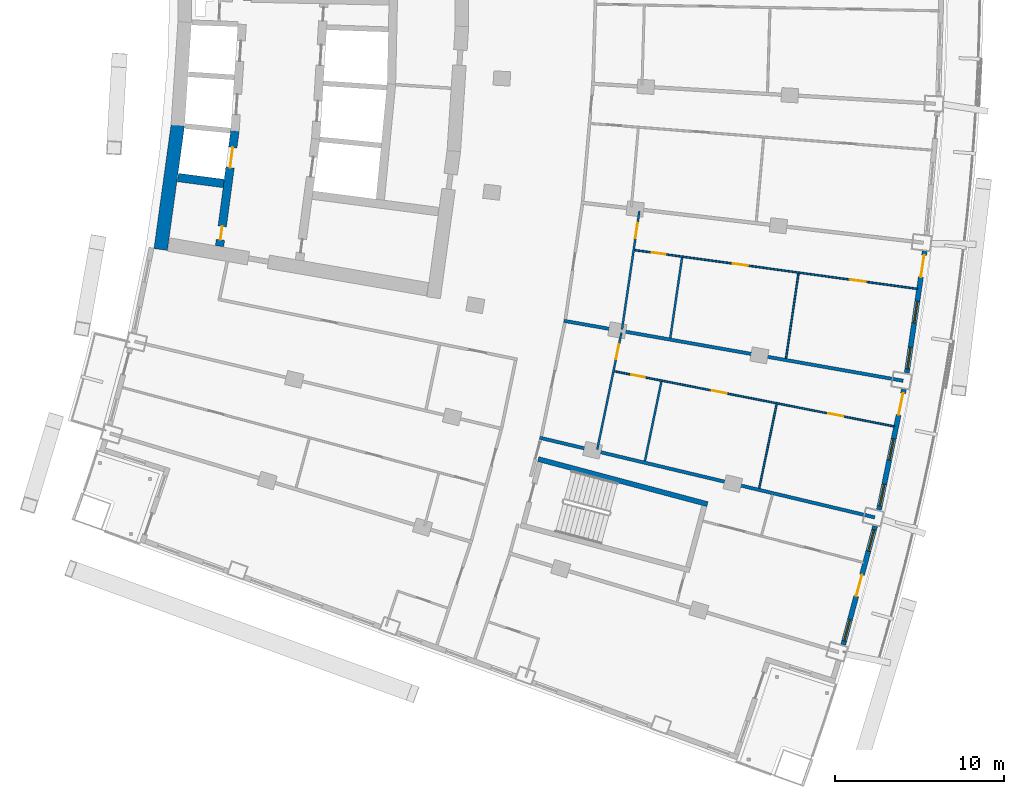
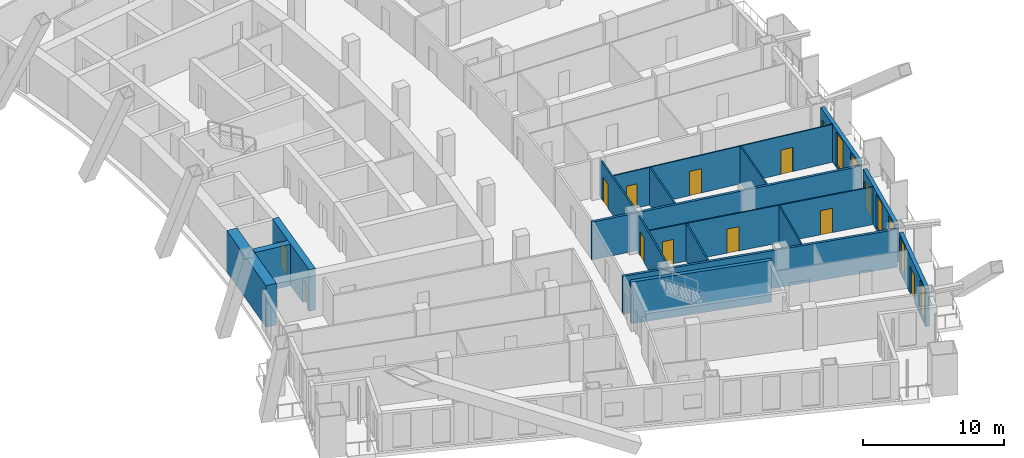
# One storey, part 15 of 25: 17 walls, 13 doors, 6 windows, 19 openings.
"""IFC4 building model written with IfcOpenShell, lengths in metres."""

from ifc_helpers import new_model, si_unit, direction, frame, frame_2d, origin, place, context, subcontext, project, spatial, rectangle, extrude, material, layer, layer_set, type_object, element, fill, save


model = new_model("IFC4")

# Units and contexts
model_context = context("Model", 3, precision=1e-05, world=origin(), true_north=direction((0.0, 1.0)))
body_context = subcontext(model_context, "Body", "Model", "MODEL_VIEW")
ifc_project = project(units=[si_unit("LENGTHUNIT", "METRE"), si_unit("AREAUNIT", "SQUARE_METRE"), si_unit("VOLUMEUNIT", "CUBIC_METRE"), si_unit("PLANEANGLEUNIT", "RADIAN"), si_unit("MASSUNIT", "GRAM", prefix="KILO")], contexts=[model_context])

# Site, building, storey
site_placement = place(None, origin())
site = spatial("IfcSite", under=ifc_project, at=site_placement, CompositionType="ELEMENT")
building_placement = place(site_placement, origin())
building = spatial("IfcBuilding", under=site, at=building_placement, Name="Alderwake Tower", CompositionType="ELEMENT")
storey_placement = place(building_placement, frame((0.0, 0.0, 93.199951171875)))
storey = spatial("IfcBuildingStorey", under=building, at=storey_placement, Name="L22", CompositionType="ELEMENT", Elevation=93.199951171875)

# Wall
ifc_material_1 = material(Name="Concrete C70/85", Category="concrete")
ifc_layer_1 = layer(ifc_material_1, 0.800048828125)
ifc_layer_set_1 = layer_set([ifc_layer_1], Name="Core wall outer 800 C70-85")
wall_type_1 = type_object("IfcWallType", Name="Core wall outer 800 C70-85", PredefinedType="SHEAR", material=ifc_layer_set_1)
wall_1_placement = place(storey_placement, frame((15.419921875, 44.12890625, 0.0), z_axis=(0.0, 0.0, 1.0), x_axis=(0.13634256868, 0.990661750531, 0.0)))
element("IfcWall", 1, at=wall_1_placement, inside=storey, type_object=wall_type_1, Name="Core wall CW.042", PredefinedType="SHEAR", context=body_context, shape_type="SweptSolid", body=[
    extrude(rectangle(XDim=7.42578125, YDim=0.800048828125, at=frame_2d((3.712890625, 0.0))), origin(), (0.0, 0.0, 1.0), 3.60009765625),
])

# Wall, openings, doors
ifc_material_2 = material(Name="Concrete C70/85", Category="concrete")
ifc_layer_2 = layer(ifc_material_2, 0.5)
ifc_layer_set_2 = layer_set([ifc_layer_2], Name="Core wall spine 500 C70-85")
wall_type_2 = type_object("IfcWallType", Name="Core wall spine 500 C70-85", PredefinedType="SHEAR", material=ifc_layer_set_2)
wall_2_placement = place(storey_placement, frame((19.81494140625, 51.145263671875, 0.0), z_axis=(0.0, 0.0, 1.0), x_axis=(-0.132349652161, -0.991203091991, 0.0)))
wall_2 = element("IfcWall", 2, at=wall_2_placement, inside=storey, type_object=wall_type_2, Name="Core wall CW.033", PredefinedType="SHEAR", context=body_context, shape_type="SweptSolid", body=[
    extrude(rectangle(XDim=6.880615234375, YDim=0.5, at=frame_2d((3.4404296875, 0.0))), origin(), (0.0, 0.0, 1.0), 3.60009765625),
])
opening_1_placement = place(wall_2_placement, frame((0.99072265625, 0.0, 0.0)))
opening_1 = element("IfcOpeningElement", 3, at=opening_1_placement, cuts=wall_2, Name="Opening LD-LP1", PredefinedType="OPENING", context=body_context, shape_type="SweptSolid", body=[
    extrude(rectangle(XDim=1.199951171875, YDim=2.300048828125, at=frame_2d((0.60009765625, 1.14990234375))), frame((0.0, 0.260009765625, 0.0), z_axis=(0.0, -1.0, 0.0), x_axis=(1.0, 0.0, 0.0)), (0.0, 0.0, 1.0), 0.52001953125),
])
opening_2_placement = place(wall_2_placement, frame((5.698486328125, 0.0, 0.0)))
opening_2 = element("IfcOpeningElement", 4, at=opening_2_placement, cuts=wall_2, Name="Opening C007", PredefinedType="OPENING", context=body_context, shape_type="SweptSolid", body=[
    extrude(rectangle(XDim=0.800048828125, YDim=2.0, at=frame_2d((0.39990234375, 1.0))), frame((0.0, 0.260009765625, 0.0), z_axis=(0.0, -1.0, 0.0), x_axis=(1.0, 0.0, 0.0)), (0.0, 0.0, 1.0), 0.52001953125),
])
ifc_material_3 = material(Name="Stainless steel sliding leaf", Category="steel")
door_type_1 = type_object("IfcDoorType", Name="Lift landing door 1200", OperationType="SLIDING_TO_LEFT", PredefinedType="DOOR", material=ifc_material_3)
door_1_placement = place(opening_1_placement, origin())
door_1 = element("IfcDoor", 5, at=door_1_placement, inside=storey, type_object=door_type_1, Name="Lift landing door LP1", OperationType="SLIDING_TO_LEFT", OverallHeight=2.300048828125, OverallWidth=1.199951171875, PredefinedType="DOOR", context=body_context, shape_type="SweptSolid", body=[
    extrude(rectangle(XDim=1.199951171875, YDim=2.300048828125, at=frame_2d((0.60009765625, 1.14990234375))), frame((0.0, 0.02490234375, 0.0), z_axis=(0.0, -1.0, 0.0), x_axis=(1.0, 0.0, 0.0)), (0.0, 0.0, 1.0), 0.050048828125),
])
fill(opening_1, door_1)
ifc_material_4 = material(Name="Painted steel leaf, rated", Category="steel")
door_type_2 = type_object("IfcDoorType", Name="Riser access door 800", OperationType="SINGLE_SWING_LEFT", PredefinedType="DOOR", material=ifc_material_4)
door_2_placement = place(opening_2_placement, origin())
door_2 = element("IfcDoor", 6, at=door_2_placement, inside=storey, type_object=door_type_2, Name="Riser access door", OperationType="SINGLE_SWING_LEFT", OverallHeight=2.0, OverallWidth=0.800048828125, PredefinedType="DOOR", context=body_context, shape_type="SweptSolid", body=[
    extrude(rectangle(XDim=0.800048828125, YDim=2.0, at=frame_2d((0.39990234375, 1.0))), frame((0.0, 0.02490234375, 0.0), z_axis=(0.0, -1.0, 0.0), x_axis=(1.0, 0.0, 0.0)), (0.0, 0.0, 1.0), 0.050048828125),
])
fill(opening_2, door_2)

# Walls
wall_3_placement = place(storey_placement, frame((16.43994140625, 48.38623046875, 0.0), z_axis=(0.0, 0.0, 1.0), x_axis=(0.991557472006, -0.129667959452, 0.0)))
element("IfcWall", 7, at=wall_3_placement, inside=storey, type_object=wall_type_2, Name="Core wall CW.067", PredefinedType="SHEAR", context=body_context, shape_type="SweptSolid", body=[
    extrude(rectangle(XDim=2.72998046875, YDim=0.5, at=frame_2d((1.364990234375, 0.0))), origin(), (0.0, 0.0, 1.0), 3.60009765625),
])
ifc_material_5 = material(Name="Concrete C70/85", Category="concrete")
ifc_layer_3 = layer(ifc_material_5, 0.300048828125)
ifc_layer_set_3 = layer_set([ifc_layer_3], Name="Core wall stair enclosure 300 C70-85")
wall_type_3 = type_object("IfcWallType", Name="Core wall stair enclosure 300 C70-85", PredefinedType="SHEAR", material=ifc_layer_set_3)
wall_4_placement = place(storey_placement, frame((37.75390625, 31.731201171875, 0.0), z_axis=(0.0, 0.0, 1.0), x_axis=(0.966309214305, -0.257383958996, 0.0)))
element("IfcWall", 8, at=wall_4_placement, inside=storey, type_object=wall_type_3, Name="Core wall CW.086", PredefinedType="SHEAR", context=body_context, shape_type="SweptSolid", body=[
    extrude(rectangle(XDim=10.360107421875, YDim=0.300048828125, at=frame_2d((5.18017578125, 0.0))), origin(), (0.0, 0.0, 1.0), 3.60009765625),
])

# Wall, openings, door, windows
ifc_material_6 = material(Name="Precast concrete C50/60 spandrel panel", Category="concrete")
ifc_layer_4 = layer(ifc_material_6, 0.300048828125)
ifc_layer_set_4 = layer_set([ifc_layer_4], Name="External wall EW1 Precast concrete C50/60 spandrel")
wall_type_4 = type_object("IfcWallType", Name="External wall EW1 Precast concrete C50/60 spandrel", PredefinedType="SOLIDWALL", material=ifc_layer_set_4)
wall_5_placement = place(storey_placement, frame((55.797119140625, 20.75048828125, 0.0), z_axis=(0.0, 0.0, 1.0), x_axis=(0.259469611771, 0.96575127262, 0.0)))
wall_5 = element("IfcWall", 9, at=wall_5_placement, inside=storey, type_object=wall_type_4, Name="External wall 12", PredefinedType="SOLIDWALL", context=body_context, shape_type="SweptSolid", body=[
    extrude(rectangle(XDim=7.263916015625, YDim=0.300048828125, at=frame_2d((3.6318359375, 0.0))), origin(), (0.0, 0.0, 1.0), 3.280029296875),
])
opening_3_placement = place(wall_5_placement, frame((0.23291015625, 0.0, 0.199951171875)))
opening_3 = element("IfcOpeningElement", 10, at=opening_3_placement, cuts=wall_5, Name="Opening W1", PredefinedType="OPENING", context=body_context, shape_type="SweptSolid", body=[
    extrude(rectangle(XDim=1.300048828125, YDim=2.89990234375, at=frame_2d((0.64990234375, 1.449951171875))), frame((0.0, 0.159912109375, 0.0), z_axis=(0.0, -1.0, 0.0), x_axis=(1.0, 0.0, 0.0)), (0.0, 0.0, 1.0), 0.320068359375),
])
opening_4_placement = place(wall_5_placement, frame((2.98193359375, 0.0, 0.0)))
opening_4 = element("IfcOpeningElement", 11, at=opening_4_placement, cuts=wall_5, Name="Opening D03", PredefinedType="OPENING", context=body_context, shape_type="SweptSolid", body=[
    extrude(rectangle(XDim=1.300048828125, YDim=2.39990234375, at=frame_2d((0.64990234375, 1.199951171875))), frame((0.0, 0.159912109375, 0.0), z_axis=(0.0, -1.0, 0.0), x_axis=(1.0, 0.0, 0.0)), (0.0, 0.0, 1.0), 0.320068359375),
])
opening_5_placement = place(wall_5_placement, frame((5.73095703125, 0.0, 0.199951171875)))
opening_5 = element("IfcOpeningElement", 12, at=opening_5_placement, cuts=wall_5, Name="Opening W1", PredefinedType="OPENING", context=body_context, shape_type="SweptSolid", body=[
    extrude(rectangle(XDim=1.300048828125, YDim=2.89990234375, at=frame_2d((0.64990234375, 1.449951171875))), frame((0.0, 0.159912109375, 0.0), z_axis=(0.0, -1.0, 0.0), x_axis=(1.0, 0.0, 0.0)), (0.0, 0.0, 1.0), 0.320068359375),
])
ifc_material_7 = material(Name="Bronze tinted glass in aluminium frame", Category="aluminium")
door_type_3 = type_object("IfcDoorType", Name="Balcony door BD sliding", OperationType="SLIDING_TO_LEFT", PredefinedType="DOOR", material=ifc_material_7)
door_3_placement = place(opening_4_placement, origin())
door_3 = element("IfcDoor", 13, at=door_3_placement, inside=storey, type_object=door_type_3, Name="Door D03", OperationType="SLIDING_TO_LEFT", OverallHeight=2.39990234375, OverallWidth=1.300048828125, PredefinedType="DOOR", context=body_context, shape_type="SweptSolid", body=[
    extrude(rectangle(XDim=1.300048828125, YDim=2.39990234375, at=frame_2d((0.64990234375, 1.199951171875))), frame((0.0, 0.02490234375, 0.0), z_axis=(0.0, -1.0, 0.0), x_axis=(1.0, 0.0, 0.0)), (0.0, 0.0, 1.0), 0.050048828125),
])
fill(opening_4, door_3)
ifc_material_8 = material(Name="Bronze tinted glass in aluminium frame", Category="aluminium")
window_type = type_object("IfcWindowType", Name="Window W1 tall fixed and vent", PartitioningType="DOUBLE_PANEL_VERTICAL", PredefinedType="WINDOW", material=ifc_material_8)
window_1_placement = place(opening_3_placement, origin())
window_1 = element("IfcWindow", 14, at=window_1_placement, inside=storey, type_object=window_type, Name="Window W1 tall fixed and vent", OverallHeight=2.89990234375, OverallWidth=1.300048828125, PartitioningType="DOUBLE_PANEL_VERTICAL", PredefinedType="WINDOW", context=body_context, shape_type="SweptSolid", body=[
    extrude(rectangle(XDim=1.300048828125, YDim=2.89990234375, at=frame_2d((0.64990234375, 1.449951171875))), frame((0.0, 0.030029296875, 0.0), z_axis=(0.0, -1.0, 0.0), x_axis=(1.0, 0.0, 0.0)), (0.0, 0.0, 1.0), 0.06005859375),
])
fill(opening_3, window_1)
window_2_placement = place(opening_5_placement, origin())
window_2 = element("IfcWindow", 15, at=window_2_placement, inside=storey, type_object=window_type, Name="Window W1 tall fixed and vent", OverallHeight=2.89990234375, OverallWidth=1.300048828125, PartitioningType="DOUBLE_PANEL_VERTICAL", PredefinedType="WINDOW", context=body_context, shape_type="SweptSolid", body=[
    extrude(rectangle(XDim=1.300048828125, YDim=2.89990234375, at=frame_2d((0.64990234375, 1.449951171875))), frame((0.0, 0.030029296875, 0.0), z_axis=(0.0, -1.0, 0.0), x_axis=(1.0, 0.0, 0.0)), (0.0, 0.0, 1.0), 0.06005859375),
])
fill(opening_5, window_2)

wall_6_placement = place(storey_placement, frame((57.91259765625, 28.73583984375, 0.0), z_axis=(0.0, 0.0, 1.0), x_axis=(0.20273007486, 0.979234658673, 0.0)))
wall_6 = element("IfcWall", 16, at=wall_6_placement, inside=storey, type_object=wall_type_4, Name="External wall 13", PredefinedType="SOLIDWALL", context=body_context, shape_type="SweptSolid", body=[
    extrude(rectangle(XDim=7.26416015625, YDim=0.300048828125, at=frame_2d((3.632080078125, 0.0))), origin(), (0.0, 0.0, 1.0), 3.280029296875),
])
opening_6_placement = place(wall_6_placement, frame((0.23291015625, 0.0, 0.199951171875)))
opening_6 = element("IfcOpeningElement", 17, at=opening_6_placement, cuts=wall_6, Name="Opening W1", PredefinedType="OPENING", context=body_context, shape_type="SweptSolid", body=[
    extrude(rectangle(XDim=1.300048828125, YDim=2.89990234375, at=frame_2d((0.64990234375, 1.449951171875))), frame((0.0, 0.159912109375, 0.0), z_axis=(0.0, -1.0, 0.0), x_axis=(1.0, 0.0, 0.0)), (0.0, 0.0, 1.0), 0.320068359375),
])
opening_7_placement = place(wall_6_placement, frame((2.98193359375, 0.0, 0.199951171875)))
opening_7 = element("IfcOpeningElement", 18, at=opening_7_placement, cuts=wall_6, Name="Opening W1", PredefinedType="OPENING", context=body_context, shape_type="SweptSolid", body=[
    extrude(rectangle(XDim=1.300048828125, YDim=2.89990234375, at=frame_2d((0.64990234375, 1.449951171875))), frame((0.0, 0.159912109375, 0.0), z_axis=(0.0, -1.0, 0.0), x_axis=(1.0, 0.0, 0.0)), (0.0, 0.0, 1.0), 0.320068359375),
])
opening_8_placement = place(wall_6_placement, frame((5.731201171875, 0.0, 0.0)))
opening_8 = element("IfcOpeningElement", 19, at=opening_8_placement, cuts=wall_6, Name="Opening D04", PredefinedType="OPENING", context=body_context, shape_type="SweptSolid", body=[
    extrude(rectangle(XDim=1.300048828125, YDim=2.39990234375, at=frame_2d((0.64990234375, 1.199951171875))), frame((0.0, 0.159912109375, 0.0), z_axis=(0.0, -1.0, 0.0), x_axis=(1.0, 0.0, 0.0)), (0.0, 0.0, 1.0), 0.320068359375),
])
door_4_placement = place(opening_8_placement, origin())
door_4 = element("IfcDoor", 20, at=door_4_placement, inside=storey, type_object=door_type_3, Name="Door D04", OperationType="SLIDING_TO_LEFT", OverallHeight=2.39990234375, OverallWidth=1.300048828125, PredefinedType="DOOR", context=body_context, shape_type="SweptSolid", body=[
    extrude(rectangle(XDim=1.300048828125, YDim=2.39990234375, at=frame_2d((0.64990234375, 1.199951171875))), frame((0.0, 0.02490234375, 0.0), z_axis=(0.0, -1.0, 0.0), x_axis=(1.0, 0.0, 0.0)), (0.0, 0.0, 1.0), 0.050048828125),
])
fill(opening_8, door_4)
window_3_placement = place(opening_6_placement, origin())
window_3 = element("IfcWindow", 21, at=window_3_placement, inside=storey, type_object=window_type, Name="Window W1 tall fixed and vent", OverallHeight=2.89990234375, OverallWidth=1.300048828125, PartitioningType="DOUBLE_PANEL_VERTICAL", PredefinedType="WINDOW", context=body_context, shape_type="SweptSolid", body=[
    extrude(rectangle(XDim=1.300048828125, YDim=2.89990234375, at=frame_2d((0.64990234375, 1.449951171875))), frame((0.0, 0.030029296875, 0.0), z_axis=(0.0, -1.0, 0.0), x_axis=(1.0, 0.0, 0.0)), (0.0, 0.0, 1.0), 0.06005859375),
])
fill(opening_6, window_3)
window_4_placement = place(opening_7_placement, origin())
window_4 = element("IfcWindow", 22, at=window_4_placement, inside=storey, type_object=window_type, Name="Window W1 tall fixed and vent", OverallHeight=2.89990234375, OverallWidth=1.300048828125, PartitioningType="DOUBLE_PANEL_VERTICAL", PredefinedType="WINDOW", context=body_context, shape_type="SweptSolid", body=[
    extrude(rectangle(XDim=1.300048828125, YDim=2.89990234375, at=frame_2d((0.64990234375, 1.449951171875))), frame((0.0, 0.030029296875, 0.0), z_axis=(0.0, -1.0, 0.0), x_axis=(1.0, 0.0, 0.0)), (0.0, 0.0, 1.0), 0.06005859375),
])
fill(opening_7, window_4)

wall_7_placement = place(storey_placement, frame((59.558837890625, 36.8310546875, 0.0), z_axis=(0.0, 0.0, 1.0), x_axis=(0.145325629986, 0.989383879629, 0.0)))
wall_7 = element("IfcWall", 23, at=wall_7_placement, inside=storey, type_object=wall_type_4, Name="External wall 14", PredefinedType="SOLIDWALL", context=body_context, shape_type="SweptSolid", body=[
    extrude(rectangle(XDim=7.26416015625, YDim=0.300048828125, at=frame_2d((3.632080078125, 0.0))), origin(), (0.0, 0.0, 1.0), 3.280029296875),
])
opening_9_placement = place(wall_7_placement, frame((0.23291015625, 0.0, 0.199951171875)))
opening_9 = element("IfcOpeningElement", 24, at=opening_9_placement, cuts=wall_7, Name="Opening W1", PredefinedType="OPENING", context=body_context, shape_type="SweptSolid", body=[
    extrude(rectangle(XDim=1.300048828125, YDim=2.89990234375, at=frame_2d((0.64990234375, 1.449951171875))), frame((0.0, 0.159912109375, 0.0), z_axis=(0.0, -1.0, 0.0), x_axis=(1.0, 0.0, 0.0)), (0.0, 0.0, 1.0), 0.320068359375),
])
opening_10_placement = place(wall_7_placement, frame((2.98193359375, 0.0, 0.199951171875)))
opening_10 = element("IfcOpeningElement", 25, at=opening_10_placement, cuts=wall_7, Name="Opening W1", PredefinedType="OPENING", context=body_context, shape_type="SweptSolid", body=[
    extrude(rectangle(XDim=1.300048828125, YDim=2.89990234375, at=frame_2d((0.64990234375, 1.449951171875))), frame((0.0, 0.159912109375, 0.0), z_axis=(0.0, -1.0, 0.0), x_axis=(1.0, 0.0, 0.0)), (0.0, 0.0, 1.0), 0.320068359375),
])
opening_11_placement = place(wall_7_placement, frame((5.731201171875, 0.0, 0.0)))
opening_11 = element("IfcOpeningElement", 26, at=opening_11_placement, cuts=wall_7, Name="Opening D05", PredefinedType="OPENING", context=body_context, shape_type="SweptSolid", body=[
    extrude(rectangle(XDim=1.300048828125, YDim=2.39990234375, at=frame_2d((0.64990234375, 1.199951171875))), frame((0.0, 0.159912109375, 0.0), z_axis=(0.0, -1.0, 0.0), x_axis=(1.0, 0.0, 0.0)), (0.0, 0.0, 1.0), 0.320068359375),
])
door_5_placement = place(opening_11_placement, origin())
door_5 = element("IfcDoor", 27, at=door_5_placement, inside=storey, type_object=door_type_3, Name="Door D05", OperationType="SLIDING_TO_LEFT", OverallHeight=2.39990234375, OverallWidth=1.300048828125, PredefinedType="DOOR", context=body_context, shape_type="SweptSolid", body=[
    extrude(rectangle(XDim=1.300048828125, YDim=2.39990234375, at=frame_2d((0.64990234375, 1.199951171875))), frame((0.0, 0.02490234375, 0.0), z_axis=(0.0, -1.0, 0.0), x_axis=(1.0, 0.0, 0.0)), (0.0, 0.0, 1.0), 0.050048828125),
])
fill(opening_11, door_5)
window_5_placement = place(opening_9_placement, origin())
window_5 = element("IfcWindow", 28, at=window_5_placement, inside=storey, type_object=window_type, Name="Window W1 tall fixed and vent", OverallHeight=2.89990234375, OverallWidth=1.300048828125, PartitioningType="DOUBLE_PANEL_VERTICAL", PredefinedType="WINDOW", context=body_context, shape_type="SweptSolid", body=[
    extrude(rectangle(XDim=1.300048828125, YDim=2.89990234375, at=frame_2d((0.64990234375, 1.449951171875))), frame((0.0, 0.030029296875, 0.0), z_axis=(0.0, -1.0, 0.0), x_axis=(1.0, 0.0, 0.0)), (0.0, 0.0, 1.0), 0.06005859375),
])
fill(opening_9, window_5)
window_6_placement = place(opening_10_placement, origin())
window_6 = element("IfcWindow", 29, at=window_6_placement, inside=storey, type_object=window_type, Name="Window W1 tall fixed and vent", OverallHeight=2.89990234375, OverallWidth=1.300048828125, PartitioningType="DOUBLE_PANEL_VERTICAL", PredefinedType="WINDOW", context=body_context, shape_type="SweptSolid", body=[
    extrude(rectangle(XDim=1.300048828125, YDim=2.89990234375, at=frame_2d((0.64990234375, 1.449951171875))), frame((0.0, 0.030029296875, 0.0), z_axis=(0.0, -1.0, 0.0), x_axis=(1.0, 0.0, 0.0)), (0.0, 0.0, 1.0), 0.06005859375),
])
fill(opening_10, window_6)

# Walls
ifc_material_9 = material(Name="Dense block masonry wall", Category="masonry")
ifc_layer_5 = layer(ifc_material_9, 0.199951171875)
ifc_layer_set_5 = layer_set([ifc_layer_5], Name="Party wall 200")
wall_type_5 = type_object("IfcWallType", Name="Party wall 200", PredefinedType="SOLIDWALL", material=ifc_layer_set_5)
wall_8_placement = place(storey_placement, frame((37.839111328125, 32.994384765625, 0.0), z_axis=(0.0, 0.0, 1.0), x_axis=(0.972887005839, -0.231280941433, 0.0)))
element("IfcWall", 30, at=wall_8_placement, inside=storey, type_object=wall_type_5, Name="WL/L22/W06", PredefinedType="SOLIDWALL", context=body_context, shape_type="SweptSolid", body=[
    extrude(rectangle(XDim=20.37939453125, YDim=0.199951171875, at=frame_2d((10.189697265625, 0.0))), origin(), (0.0, 0.0, 1.0), 3.280029296875),
])
wall_9_placement = place(storey_placement, frame((59.340087890625, 36.363037109375, 0.0), z_axis=(0.0, 0.0, 1.0), x_axis=(-0.984733595327, 0.174068222933, 0.0)))
element("IfcWall", 31, at=wall_9_placement, inside=storey, type_object=wall_type_5, Name="WL/L22/W10", PredefinedType="SOLIDWALL", context=body_context, shape_type="SweptSolid", body=[
    extrude(rectangle(XDim=20.382080078125, YDim=0.199951171875, at=frame_2d((10.19091796875, 0.0))), origin(), (0.0, 0.0, 1.0), 3.280029296875),
])

# Wall, openings, doors
ifc_material_10 = material(Name="Gypsum board on metal studs")
ifc_layer_6 = layer(ifc_material_10, 0.10009765625)
ifc_layer_set_6 = layer_set([ifc_layer_6], Name="Unit partition 100")
wall_type_6 = type_object("IfcWallType", Name="Unit partition 100", PredefinedType="PARTITIONING", material=ifc_layer_set_6)
wall_10_placement = place(storey_placement, frame((58.830078125, 33.659912109375, 0.0), z_axis=(0.0, 0.0, 1.0), x_axis=(-0.981161441013, 0.193189613255, 0.0)))
wall_10 = element("IfcWall", 32, at=wall_10_placement, inside=storey, type_object=wall_type_6, Name="WL/L22/W76", PredefinedType="PARTITIONING", context=body_context, shape_type="SweptSolid", body=[
    extrude(rectangle(XDim=16.88232421875, YDim=0.10009765625, at=frame_2d((8.441162109375, 0.0))), origin(), (0.0, 0.0, 1.0), 3.280029296875),
])
opening_12_placement = place(wall_10_placement, frame((10.119873046875, 0.0, 0.0)))
opening_12 = element("IfcOpeningElement", 33, at=opening_12_placement, cuts=wall_10, Name="Opening R06-U05.1", PredefinedType="OPENING", context=body_context, shape_type="SweptSolid", body=[
    extrude(rectangle(XDim=0.89990234375, YDim=2.10009765625, at=frame_2d((0.449951171875, 1.050048828125))), frame((0.0, 0.06005859375, 0.0), z_axis=(0.0, -1.0, 0.0), x_axis=(1.0, 0.0, 0.0)), (0.0, 0.0, 1.0), 0.1201171875),
])
opening_13_placement = place(wall_10_placement, frame((15.0634765625, 0.0, 0.0)))
opening_13 = element("IfcOpeningElement", 34, at=opening_13_placement, cuts=wall_10, Name="Opening R06-U05.4", PredefinedType="OPENING", context=body_context, shape_type="SweptSolid", body=[
    extrude(rectangle(XDim=0.800048828125, YDim=2.10009765625, at=frame_2d((0.39990234375, 1.050048828125))), frame((0.0, 0.06005859375, 0.0), z_axis=(0.0, -1.0, 0.0), x_axis=(1.0, 0.0, 0.0)), (0.0, 0.0, 1.0), 0.1201171875),
])
opening_14_placement = place(wall_10_placement, frame((3.097412109375, 0.0, 0.0)))
opening_14 = element("IfcOpeningElement", 35, at=opening_14_placement, cuts=wall_10, Name="Opening R06-U05.5", PredefinedType="OPENING", context=body_context, shape_type="SweptSolid", body=[
    extrude(rectangle(XDim=0.89990234375, YDim=2.10009765625, at=frame_2d((0.449951171875, 1.050048828125))), frame((0.0, 0.06005859375, 0.0), z_axis=(0.0, -1.0, 0.0), x_axis=(1.0, 0.0, 0.0)), (0.0, 0.0, 1.0), 0.1201171875),
])
ifc_material_11 = material(Name="Painted timber leaf", Category="wood")
door_type_4 = type_object("IfcDoorType", Name="Bathroom door 800", OperationType="SINGLE_SWING_LEFT", PredefinedType="DOOR", material=ifc_material_11)
door_6_placement = place(opening_13_placement, origin())
door_6 = element("IfcDoor", 36, at=door_6_placement, inside=storey, type_object=door_type_4, Name="DR/L22/U05.4", OperationType="SINGLE_SWING_LEFT", OverallHeight=2.10009765625, OverallWidth=0.800048828125, PredefinedType="DOOR", context=body_context, shape_type="SweptSolid", body=[
    extrude(rectangle(XDim=0.800048828125, YDim=2.10009765625, at=frame_2d((0.39990234375, 1.050048828125))), frame((0.0, 0.02490234375, 0.0), z_axis=(0.0, -1.0, 0.0), x_axis=(1.0, 0.0, 0.0)), (0.0, 0.0, 1.0), 0.050048828125),
])
fill(opening_13, door_6)
ifc_material_12 = material(Name="Painted timber leaf", Category="wood")
door_type_5 = type_object("IfcDoorType", Name="Room door 900", OperationType="SINGLE_SWING_LEFT", PredefinedType="DOOR", material=ifc_material_12)
door_7_placement = place(opening_12_placement, origin())
door_7 = element("IfcDoor", 37, at=door_7_placement, inside=storey, type_object=door_type_5, Name="DR/L22/U05.1", OperationType="SINGLE_SWING_LEFT", OverallHeight=2.10009765625, OverallWidth=0.89990234375, PredefinedType="DOOR", context=body_context, shape_type="SweptSolid", body=[
    extrude(rectangle(XDim=0.89990234375, YDim=2.10009765625, at=frame_2d((0.449951171875, 1.050048828125))), frame((0.0, 0.02490234375, 0.0), z_axis=(0.0, -1.0, 0.0), x_axis=(1.0, 0.0, 0.0)), (0.0, 0.0, 1.0), 0.050048828125),
])
fill(opening_12, door_7)
door_8_placement = place(opening_14_placement, origin())
door_8 = element("IfcDoor", 38, at=door_8_placement, inside=storey, type_object=door_type_5, Name="DR/L22/U05.5", OperationType="SINGLE_SWING_LEFT", OverallHeight=2.10009765625, OverallWidth=0.89990234375, PredefinedType="DOOR", context=body_context, shape_type="SweptSolid", body=[
    extrude(rectangle(XDim=0.89990234375, YDim=2.10009765625, at=frame_2d((0.449951171875, 1.050048828125))), frame((0.0, 0.02490234375, 0.0), z_axis=(0.0, -1.0, 0.0), x_axis=(1.0, 0.0, 0.0)), (0.0, 0.0, 1.0), 0.050048828125),
])
fill(opening_14, door_8)

wall_11_placement = place(storey_placement, frame((60.18896484375, 41.799072265625, 0.0), z_axis=(0.0, 0.0, 1.0), x_axis=(-0.99073825803, 0.135785507606, 0.0)))
wall_11 = element("IfcWall", 39, at=wall_11_placement, inside=storey, type_object=wall_type_6, Name="WL/L22/W77", PredefinedType="PARTITIONING", context=body_context, shape_type="SweptSolid", body=[
    extrude(rectangle(XDim=16.885009765625, YDim=0.10009765625, at=frame_2d((8.4423828125, 0.0))), origin(), (0.0, 0.0, 1.0), 3.280029296875),
])
opening_15_placement = place(wall_11_placement, frame((10.12109375, 0.0, 0.0)))
opening_15 = element("IfcOpeningElement", 40, at=opening_15_placement, cuts=wall_11, Name="Opening R06-U06.1", PredefinedType="OPENING", context=body_context, shape_type="SweptSolid", body=[
    extrude(rectangle(XDim=0.89990234375, YDim=2.10009765625, at=frame_2d((0.449951171875, 1.050048828125))), frame((0.0, 0.06005859375, 0.0), z_axis=(0.0, -1.0, 0.0), x_axis=(1.0, 0.0, 0.0)), (0.0, 0.0, 1.0), 0.1201171875),
])
opening_16_placement = place(wall_11_placement, frame((15.0654296875, 0.0, 0.0)))
opening_16 = element("IfcOpeningElement", 41, at=opening_16_placement, cuts=wall_11, Name="Opening R06-U06.4", PredefinedType="OPENING", context=body_context, shape_type="SweptSolid", body=[
    extrude(rectangle(XDim=0.800048828125, YDim=2.10009765625, at=frame_2d((0.39990234375, 1.050048828125))), frame((0.0, 0.06005859375, 0.0), z_axis=(0.0, -1.0, 0.0), x_axis=(1.0, 0.0, 0.0)), (0.0, 0.0, 1.0), 0.1201171875),
])
opening_17_placement = place(wall_11_placement, frame((3.098876953125, 0.0, 0.0)))
opening_17 = element("IfcOpeningElement", 42, at=opening_17_placement, cuts=wall_11, Name="Opening R06-U06.5", PredefinedType="OPENING", context=body_context, shape_type="SweptSolid", body=[
    extrude(rectangle(XDim=0.89990234375, YDim=2.10009765625, at=frame_2d((0.449951171875, 1.050048828125))), frame((0.0, 0.06005859375, 0.0), z_axis=(0.0, -1.0, 0.0), x_axis=(1.0, 0.0, 0.0)), (0.0, 0.0, 1.0), 0.1201171875),
])
door_9_placement = place(opening_16_placement, origin())
door_9 = element("IfcDoor", 43, at=door_9_placement, inside=storey, type_object=door_type_4, Name="DR/L22/U06.4", OperationType="SINGLE_SWING_LEFT", OverallHeight=2.10009765625, OverallWidth=0.800048828125, PredefinedType="DOOR", context=body_context, shape_type="SweptSolid", body=[
    extrude(rectangle(XDim=0.800048828125, YDim=2.10009765625, at=frame_2d((0.39990234375, 1.050048828125))), frame((0.0, 0.02490234375, 0.0), z_axis=(0.0, -1.0, 0.0), x_axis=(1.0, 0.0, 0.0)), (0.0, 0.0, 1.0), 0.050048828125),
])
fill(opening_16, door_9)
door_10_placement = place(opening_15_placement, origin())
door_10 = element("IfcDoor", 44, at=door_10_placement, inside=storey, type_object=door_type_5, Name="DR/L22/U06.1", OperationType="SINGLE_SWING_LEFT", OverallHeight=2.10009765625, OverallWidth=0.89990234375, PredefinedType="DOOR", context=body_context, shape_type="SweptSolid", body=[
    extrude(rectangle(XDim=0.89990234375, YDim=2.10009765625, at=frame_2d((0.449951171875, 1.050048828125))), frame((0.0, 0.02490234375, 0.0), z_axis=(0.0, -1.0, 0.0), x_axis=(1.0, 0.0, 0.0)), (0.0, 0.0, 1.0), 0.050048828125),
])
fill(opening_15, door_10)
door_11_placement = place(opening_17_placement, origin())
door_11 = element("IfcDoor", 45, at=door_11_placement, inside=storey, type_object=door_type_5, Name="DR/L22/U06.5", OperationType="SINGLE_SWING_LEFT", OverallHeight=2.10009765625, OverallWidth=0.89990234375, PredefinedType="DOOR", context=body_context, shape_type="SweptSolid", body=[
    extrude(rectangle(XDim=0.89990234375, YDim=2.10009765625, at=frame_2d((0.449951171875, 1.050048828125))), frame((0.0, 0.02490234375, 0.0), z_axis=(0.0, -1.0, 0.0), x_axis=(1.0, 0.0, 0.0)), (0.0, 0.0, 1.0), 0.050048828125),
])
fill(opening_17, door_11)

# Walls
wall_12_placement = place(storey_placement, frame((50.828369140625, 30.010986328125, 0.0), z_axis=(0.0, 0.0, 1.0), x_axis=(0.203176442594, 0.979142141456, 0.0)))
element("IfcWall", 46, at=wall_12_placement, inside=storey, type_object=wall_type_6, Name="WL/L22/W83", PredefinedType="PARTITIONING", context=body_context, shape_type="SweptSolid", body=[
    extrude(rectangle(XDim=5.076904296875, YDim=0.10009765625, at=frame_2d((2.53857421875, 0.0))), origin(), (0.0, 0.0, 1.0), 3.280029296875),
])
wall_13_placement = place(storey_placement, frame((52.41259765625, 37.68896484375, 0.0), z_axis=(0.0, 0.0, 1.0), x_axis=(0.14517004702, 0.989406719933, 0.0)))
element("IfcWall", 47, at=wall_13_placement, inside=storey, type_object=wall_type_6, Name="WL/L22/W87", PredefinedType="PARTITIONING", context=body_context, shape_type="SweptSolid", body=[
    extrude(rectangle(XDim=5.0771484375, YDim=0.10009765625, at=frame_2d((2.53857421875, 0.0))), origin(), (0.0, 0.0, 1.0), 3.280029296875),
])

# Wall, opening, door
ifc_material_13 = material(Name="Moisture resistant gypsum board on metal studs")
ifc_layer_7 = layer(ifc_material_13, 0.1201171875)
ifc_layer_set_7 = layer_set([ifc_layer_7], Name="Wet room partition 120")
wall_type_7 = type_object("IfcWallType", Name="Wet room partition 120", PredefinedType="PARTITIONING", material=ifc_layer_set_7)
wall_14_placement = place(storey_placement, frame((42.67578125, 39.2080078125, 0.0), z_axis=(0.0, 0.0, 1.0), x_axis=(-0.202695854643, -0.979241742631, 0.0)))
wall_14 = element("IfcWall", 48, at=wall_14_placement, inside=storey, type_object=wall_type_7, Name="WL/L22/W57", PredefinedType="PARTITIONING", context=body_context, shape_type="SweptSolid", body=[
    extrude(rectangle(XDim=7.066650390625, YDim=0.1201171875, at=frame_2d((3.533203125, 0.0))), origin(), (0.0, 0.0, 1.0), 3.280029296875),
])
opening_18_placement = place(wall_14_placement, frame((0.7109375, 0.0, 0.0)))
opening_18 = element("IfcOpeningElement", 49, at=opening_18_placement, cuts=wall_14, Name="Opening R06-U05.3", PredefinedType="OPENING", context=body_context, shape_type="SweptSolid", body=[
    extrude(rectangle(XDim=0.89990234375, YDim=2.10009765625, at=frame_2d((0.449951171875, 1.050048828125))), frame((0.0, 0.070068359375, 0.0), z_axis=(0.0, -1.0, 0.0), x_axis=(1.0, 0.0, 0.0)), (0.0, 0.0, 1.0), 0.14013671875),
])
door_12_placement = place(opening_18_placement, origin())
door_12 = element("IfcDoor", 50, at=door_12_placement, inside=storey, type_object=door_type_5, Name="DR/L22/U05.3", OperationType="SINGLE_SWING_LEFT", OverallHeight=2.10009765625, OverallWidth=0.89990234375, PredefinedType="DOOR", context=body_context, shape_type="SweptSolid", body=[
    extrude(rectangle(XDim=0.89990234375, YDim=2.10009765625, at=frame_2d((0.449951171875, 1.050048828125))), frame((0.0, 0.02490234375, 0.0), z_axis=(0.0, -1.0, 0.0), x_axis=(1.0, 0.0, 0.0)), (0.0, 0.0, 1.0), 0.050048828125),
])
fill(opening_18, door_12)

wall_15_placement = place(storey_placement, frame((43.737548828125, 46.39794921875, 0.0), z_axis=(0.0, 0.0, 1.0), x_axis=(-0.145317973425, -0.989385004232, 0.0)))
wall_15 = element("IfcWall", 51, at=wall_15_placement, inside=storey, type_object=wall_type_7, Name="WL/L22/W59", PredefinedType="PARTITIONING", context=body_context, shape_type="SweptSolid", body=[
    extrude(rectangle(XDim=7.06787109375, YDim=0.1201171875, at=frame_2d((3.533935546875, 0.0))), origin(), (0.0, 0.0, 1.0), 3.280029296875),
])
opening_19_placement = place(wall_15_placement, frame((0.71142578125, 0.0, 0.0)))
opening_19 = element("IfcOpeningElement", 52, at=opening_19_placement, cuts=wall_15, Name="Opening R06-U06.3", PredefinedType="OPENING", context=body_context, shape_type="SweptSolid", body=[
    extrude(rectangle(XDim=0.89990234375, YDim=2.10009765625, at=frame_2d((0.449951171875, 1.050048828125))), frame((0.0, 0.070068359375, 0.0), z_axis=(0.0, -1.0, 0.0), x_axis=(1.0, 0.0, 0.0)), (0.0, 0.0, 1.0), 0.14013671875),
])
door_13_placement = place(opening_19_placement, origin())
door_13 = element("IfcDoor", 53, at=door_13_placement, inside=storey, type_object=door_type_5, Name="DR/L22/U06.3", OperationType="SINGLE_SWING_LEFT", OverallHeight=2.10009765625, OverallWidth=0.89990234375, PredefinedType="DOOR", context=body_context, shape_type="SweptSolid", body=[
    extrude(rectangle(XDim=0.89990234375, YDim=2.10009765625, at=frame_2d((0.449951171875, 1.050048828125))), frame((0.0, 0.02490234375, 0.0), z_axis=(0.0, -1.0, 0.0), x_axis=(1.0, 0.0, 0.0)), (0.0, 0.0, 1.0), 0.050048828125),
])
fill(opening_19, door_13)

# Walls
wall_16_placement = place(storey_placement, frame((44.06640625, 31.615966796875, 0.0), z_axis=(0.0, 0.0, 1.0), x_axis=(0.202632459684, 0.979254862782, 0.0)))
element("IfcWall", 54, at=wall_16_placement, inside=storey, type_object=wall_type_7, Name="WL/L22/W64", PredefinedType="PARTITIONING", context=body_context, shape_type="SweptSolid", body=[
    extrude(rectangle(XDim=4.809814453125, YDim=0.1201171875, at=frame_2d((2.40478515625, 0.0))), origin(), (0.0, 0.0, 1.0), 3.280029296875),
])
wall_17_placement = place(storey_placement, frame((45.56640625, 38.90087890625, 0.0), z_axis=(0.0, 0.0, 1.0), x_axis=(0.145238137818, 0.989396726962, 0.0)))
element("IfcWall", 55, at=wall_17_placement, inside=storey, type_object=wall_type_7, Name="WL/L22/W65", PredefinedType="PARTITIONING", context=body_context, shape_type="SweptSolid", body=[
    extrude(rectangle(XDim=4.8076171875, YDim=0.1201171875, at=frame_2d((2.40380859375, 0.0))), origin(), (0.0, 0.0, 1.0), 3.280029296875),
])

save(model, "model.ifc")
